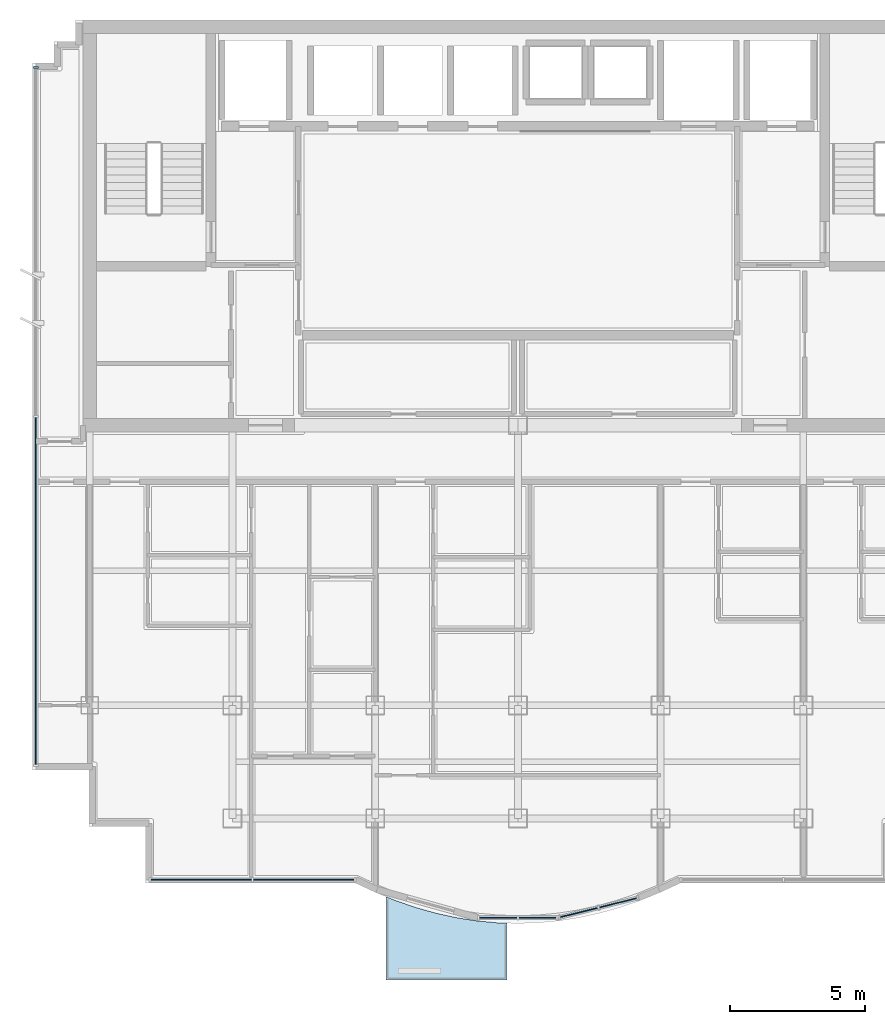
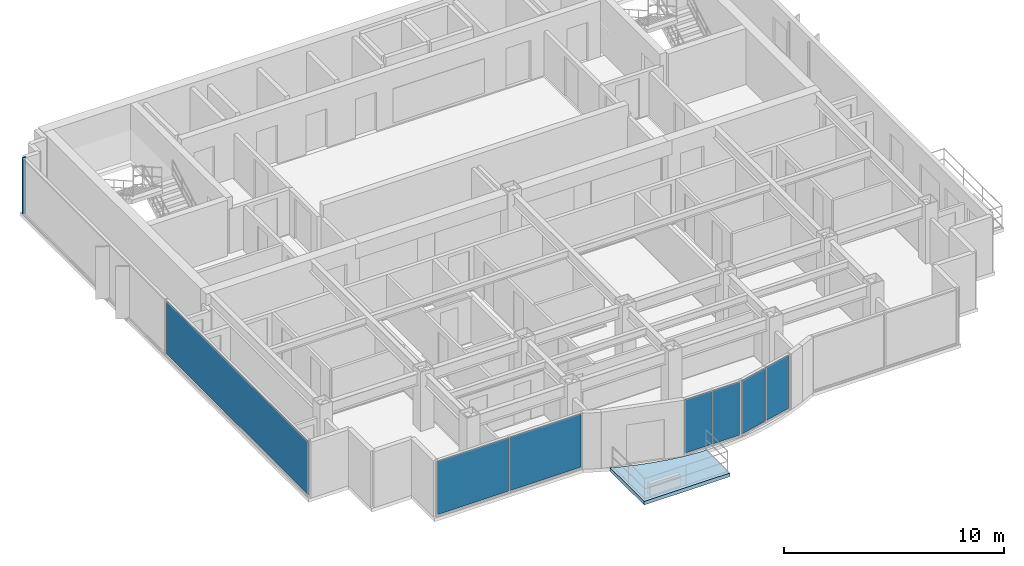
# One storey, part 3 of 9: 7 plates, 1 member, 1 slab, 4 elements without a shape of their own.
"""IFC4 building model written with IfcOpenShell, lengths in metres."""

import ifcopenshell
import ifcopenshell.guid

model = None  # the IFC model being written
_history = None  # IfcOwnerHistory: only IFC2X3 demands one
_inside = {}  # id of a spatial element -> (the spatial element, [elements in it])
_under = {}  # id of a project, library or spatial element -> (it, [spatial elements below it])
_declared = {}  # id of a project -> (the project, [libraries it declares])
_typed = {}  # id of a type object -> (the type object, [elements of that type])
_made_of = {}  # id of a material, layer set ... -> (it, [elements and type objects made of it])


def new_model(schema):
    """Start an empty IFC model of exactly this schema.

    Asked for "IFC4X3", IfcOpenShell would pick the latest addendum, in which some entities
    have other attributes; the version numbers below select the first issue.
    IFC2X3 requires an IfcOwnerHistory on every rooted entity: one is made here for all.
    """
    global model, _history
    if schema == "IFC4X3":
        model = ifcopenshell.file(schema_version=(4, 3, 0, 0))
    else:
        model = ifcopenshell.file(schema=schema)
    _inside.clear()
    _under.clear()
    _declared.clear()
    _typed.clear()
    _made_of.clear()
    _history = None
    if model.schema == "IFC2X3":
        org = make("IfcOrganization", Name="unknown")
        user = make(
            "IfcPersonAndOrganization",
            ThePerson=make("IfcPerson", FamilyName="unknown"),
            TheOrganization=org,
        )
        app = make(
            "IfcApplication",
            ApplicationDeveloper=org,
            Version="unknown",
            ApplicationFullName="unknown",
            ApplicationIdentifier="unknown",
        )
        _history = make(
            "IfcOwnerHistory",
            OwningUser=user,
            OwningApplication=app,
            ChangeAction="ADDED",
            CreationDate=0,
        )
    return model


def make(cls, **values):
    """One entity of the class cls with the attributes given. An attribute that is None is left unset."""
    return model.create_entity(
        cls, **{name: value for name, value in values.items() if value is not None}
    )


def rooted(cls, **values):
    """An entity with a GlobalId (a new one), such as an element, a storey or a relation."""
    return make(cls, GlobalId=ifcopenshell.guid.new(), OwnerHistory=_history, **values)


def si_unit(unit_type, name, prefix=None):
    """IfcSIUnit, for example si_unit("LENGTHUNIT", "METRE", prefix="MILLI")."""
    return make("IfcSIUnit", UnitType=unit_type, Prefix=prefix, Name=name)


def assignment(units):
    """IfcUnitAssignment: the units of a project."""
    return None if units is None else make("IfcUnitAssignment", Units=units)


def point(xyz):
    """IfcCartesianPoint."""
    return None if xyz is None else make("IfcCartesianPoint", Coordinates=xyz)


def direction(xyz):
    """IfcDirection."""
    return None if xyz is None else make("IfcDirection", DirectionRatios=xyz)


def frame(location, z_axis=None, x_axis=None):
    """IfcAxis2Placement3D, a coordinate frame: its origin and axes. An axis left out is left unset."""
    return make(
        "IfcAxis2Placement3D",
        Location=point(location),
        Axis=direction(z_axis),
        RefDirection=direction(x_axis),
    )


def frame_2d(location, x_axis=None):
    """IfcAxis2Placement2D, a coordinate frame in the plane: its origin and x axis."""
    return make(
        "IfcAxis2Placement2D", Location=point(location), RefDirection=direction(x_axis)
    )


def origin():
    """The frame at (0, 0, 0) with its axes left unset."""
    return frame((0.0, 0.0, 0.0))


def origin_2d():
    """The frame at (0, 0) in the plane with its x axis left unset."""
    return frame_2d((0.0, 0.0))


def place(relative_to, where):
    """IfcLocalPlacement: puts the frame where relative to a parent placement (None: the world)."""
    return make(
        "IfcLocalPlacement", PlacementRelTo=relative_to, RelativePlacement=where
    )


def context(
    kind, dimensions, precision=None, world=None, true_north=None, identifier=None
):
    """IfcGeometricRepresentationContext, for example the 3D "Model" context."""
    return make(
        "IfcGeometricRepresentationContext",
        ContextIdentifier=identifier,
        ContextType=kind,
        CoordinateSpaceDimension=dimensions,
        Precision=precision,
        WorldCoordinateSystem=world,
        TrueNorth=true_north,
    )


def subcontext(parent, identifier, kind, view, scale=None):
    """IfcGeometricRepresentationSubContext, for example "Body" below "Model"."""
    return make(
        "IfcGeometricRepresentationSubContext",
        ContextIdentifier=identifier,
        ContextType=kind,
        ParentContext=parent,
        TargetScale=scale,
        TargetView=view,
    )


def project(units=None, contexts=None):
    """IfcProject with its units and contexts."""
    return rooted(
        "IfcProject",
        Name="project",
        RepresentationContexts=contexts,
        UnitsInContext=assignment(units),
    )


def spatial(cls, under=None, at=None, **own):
    """A site, building, storey or space (cls), placed at a placement, below another one or the project."""
    s = rooted(cls, ObjectPlacement=at, **own)
    if under is not None:
        _under.setdefault(under.id(), (under, []))[1].append(s)
    return s


def polyline(points):
    """IfcPolyline through the points."""
    return make("IfcPolyline", Points=[point(p) for p in points])


def profile(cls, at=None, kind="AREA", **sizes):
    """A parametric profile (cls). Its sizes go by their IFC names, for example OverallWidth=200.0."""
    return make(cls, ProfileType=kind, Position=at, **sizes)


def rectangle(**sizes):
    """IfcRectangleProfileDef."""
    return profile("IfcRectangleProfileDef", **sizes)


def outline(outer, holes=None, kind="AREA"):
    """IfcArbitraryClosedProfileDef: a profile drawn as a closed curve; with holes, ...WithVoids."""
    if holes is None:
        return make("IfcArbitraryClosedProfileDef", ProfileType=kind, OuterCurve=outer)
    return make(
        "IfcArbitraryProfileDefWithVoids",
        ProfileType=kind,
        OuterCurve=outer,
        InnerCurves=holes,
    )


def extrude(swept, where, along, depth):
    """IfcExtrudedAreaSolid: the profile swept, set in the frame where, extruded along a direction by depth."""
    return make(
        "IfcExtrudedAreaSolid",
        SweptArea=swept,
        Position=where,
        ExtrudedDirection=direction(along),
        Depth=depth,
    )


def shape(context_of_items, identifier, shape_type, items):
    """IfcShapeRepresentation: the items that make up one representation, for example the "Body"."""
    return make(
        "IfcShapeRepresentation",
        ContextOfItems=context_of_items,
        RepresentationIdentifier=identifier,
        RepresentationType=shape_type,
        Items=items,
    )


def source(mapping_origin, context_of_items, identifier, shape_type, items):
    """IfcRepresentationMap: a shape defined once, which mapped items show again and again."""
    return make(
        "IfcRepresentationMap",
        MappingOrigin=mapping_origin,
        MappedRepresentation=shape(context_of_items, identifier, shape_type, items),
    )


def transform(
    local_origin,
    x_axis=None,
    y_axis=None,
    z_axis=None,
    scale=None,
    scale2=None,
    scale3=None,
    uniform=True,
):
    """IfcCartesianTransformationOperator3D, or its non-uniform kind. x_axis, y_axis, z_axis: its Axis1, 2, 3."""
    if uniform:
        return make(
            "IfcCartesianTransformationOperator3D",
            Axis1=direction(x_axis),
            Axis2=direction(y_axis),
            LocalOrigin=point(local_origin),
            Scale=scale,
            Axis3=direction(z_axis),
        )
    return make(
        "IfcCartesianTransformationOperator3DnonUniform",
        Axis1=direction(x_axis),
        Axis2=direction(y_axis),
        LocalOrigin=point(local_origin),
        Scale=scale,
        Axis3=direction(z_axis),
        Scale2=scale2,
        Scale3=scale3,
    )


def mapped(mapping_source, mapping_target):
    """IfcMappedItem: shows the shape of a source again, moved by a transform."""
    return make(
        "IfcMappedItem", MappingSource=mapping_source, MappingTarget=mapping_target
    )


def material(Name=None, Category=None):
    """IfcMaterial."""
    return make("IfcMaterial", Name=Name, Category=Category)


def layer(
    of_material, thickness, ventilated=None, Name=None, Category=None, Priority=None
):
    """IfcMaterialLayer: one layer of a wall or slab, of a material (None: an air gap)."""
    return make(
        "IfcMaterialLayer",
        Material=of_material,
        LayerThickness=thickness,
        IsVentilated=ventilated,
        Name=Name,
        Category=Category,
        Priority=Priority,
    )


def layer_set(layers, Name=None):
    """IfcMaterialLayerSet."""
    return make("IfcMaterialLayerSet", MaterialLayers=layers, LayerSetName=Name)


def material_profile(
    of_material, cross_section, Name=None, Category=None, Priority=None
):
    """IfcMaterialProfile: a cross section and its material."""
    return make(
        "IfcMaterialProfile",
        Name=Name,
        Material=of_material,
        Profile=cross_section,
        Priority=Priority,
        Category=Category,
    )


def profile_set(profiles, Name=None, composite=None):
    """IfcMaterialProfileSet."""
    return make(
        "IfcMaterialProfileSet",
        Name=Name,
        MaterialProfiles=profiles,
        CompositeProfile=composite,
    )


def made_of(thing, what):
    """Note that an element or type object is made of a material, layer set ...; save() writes the relation."""
    if what is not None:
        _made_of.setdefault(what.id(), (what, []))[1].append(thing)
    return thing


def type_object(cls, material=None, **own):
    """A type object (cls), such as IfcWallType, which elements share."""
    return made_of(rooted(cls, **own), material)


def element(
    cls,
    number,
    at=None,
    inside=None,
    cuts=None,
    type_object=None,
    material=None,
    context=None,
    identifier="Body",
    shape_type=None,
    held_by="IfcProductDefinitionShape",
    body=None,
    shapes=None,
    **own,
):
    """One element of the class cls, such as IfcWall. Its Tag is "e" and its number.

    at: its placement. inside: the storey or other place that contains it. cuts: it is an
    opening in that element (IfcRelVoidsElement). A single representation is given by context,
    identifier, shape_type and body (its items); several are given by shapes. held_by: the class
    of the entity that holds the representations. save() writes the other relations.
    """
    e = rooted(cls, Tag="e%d" % number, ObjectPlacement=at, **own)
    if body is not None:
        shapes = [shape(context, identifier, shape_type, body)]
    if shapes is not None:
        e.Representation = make(held_by, Representations=shapes)
    if inside is not None:
        _inside.setdefault(inside.id(), (inside, []))[1].append(e)
    if cuts is not None:
        rooted(
            "IfcRelVoidsElement", RelatingBuildingElement=cuts, RelatedOpeningElement=e
        )
    if type_object is not None:
        _typed.setdefault(type_object.id(), (type_object, []))[1].append(e)
    return made_of(e, material)


def aggregate(whole, parts):
    """IfcRelAggregates: a whole, such as a stair, and the parts it consists of."""
    return rooted("IfcRelAggregates", RelatingObject=whole, RelatedObjects=parts)


def save(model, path):
    """Write the relations noted so far, then the file.

    IfcRelAggregates (storeys below a building ...), IfcRelContainedInSpatialStructure (elements
    in a storey), IfcRelDefinesByType, IfcRelAssociatesMaterial and IfcRelDeclares: one each for
    every whole, place, type object, material and project.
    """
    for whole, parts in _under.values():
        aggregate(whole, parts)
    for where, things in _inside.values():
        rooted(
            "IfcRelContainedInSpatialStructure",
            RelatedElements=things,
            RelatingStructure=where,
        )
    for kind, things in _typed.values():
        rooted("IfcRelDefinesByType", RelatedObjects=things, RelatingType=kind)
    for what, things in _made_of.values():
        rooted("IfcRelAssociatesMaterial", RelatedObjects=things, RelatingMaterial=what)
    for by, libraries in _declared.values():
        rooted("IfcRelDeclares", RelatingContext=by, RelatedDefinitions=libraries)
    model.write(path)


model = new_model("IFC4")

# Units and contexts
model_context = context("Model", 3, precision=1e-05, world=origin(), true_north=direction((0.0, 1.0)))
body_context = subcontext(model_context, "Body", "Model", "MODEL_VIEW")
ifc_project = project(units=[si_unit("LENGTHUNIT", "METRE"), si_unit("AREAUNIT", "SQUARE_METRE"), si_unit("VOLUMEUNIT", "CUBIC_METRE"), si_unit("PLANEANGLEUNIT", "RADIAN"), si_unit("MASSUNIT", "GRAM", prefix="KILO")], contexts=[model_context])

# Site, building, storey
site_placement = place(None, origin())
site = spatial("IfcSite", under=ifc_project, at=site_placement, CompositionType="ELEMENT")
building_placement = place(site_placement, origin())
building = spatial("IfcBuilding", under=site, at=building_placement, Name="Qianlan Lanfeng Residences", CompositionType="ELEMENT")
storey_placement = place(building_placement, frame((0.0, 0.0, 246.199951171875)))
storey = spatial("IfcBuildingStorey", under=building, at=storey_placement, Name="L68", CompositionType="ELEMENT", Elevation=246.199951171875)

# Curtain wall, member
ifc_material_1 = material(Name="Anodised Bronze Aluminium 6063-T6", Category="aluminium")
ifc_layer_1 = layer(ifc_material_1, 0.219970703125)
ifc_layer_set_1 = layer_set([ifc_layer_1], Name="Anodised Bronze Aluminium 6063-T6")
curtain_wall_type = type_object("IfcCurtainWallType", Name="CW-06", PredefinedType="NOTDEFINED", material=ifc_layer_set_1)
curtain_wall_1_placement = place(storey_placement, origin())
curtain_wall_1 = element("IfcCurtainWall", 1, at=curtain_wall_1_placement, inside=storey, type_object=curtain_wall_type, Name="L68 Unitised Curtain Wall CWR-L68-05 (CW-06)", PredefinedType="NOTDEFINED")
ifc_material_profile = material_profile(ifc_material_1, rectangle(XDim=0.074951171875, YDim=0.179931640625, at=origin_2d()), Name="ALU MULLION 75x180")
ifc_profile_set = profile_set([ifc_material_profile], Name="Anodised Bronze Aluminium 6063-T6")
member_type = type_object("IfcMemberType", Name="CWM-180", PredefinedType="MULLION", material=ifc_profile_set)
shared_shape_1 = source(origin(), body_context, "Body", "SweptSolid", [
    extrude(rectangle(XDim=0.074951171875, YDim=0.179931640625, at=origin_2d()), origin(), (0.0, 0.0, 1.0), 3.110107421875),
])
member_placement = place(storey_placement, frame((8.60009765625, 38.492431640625, 0.0), z_axis=(0.0, 0.0, 1.0), x_axis=(0.0, -1.0, 0.0)))
member = element("IfcMember", 2, at=member_placement, type_object=member_type, Name="CWR-L68-05 Mullion 1", PredefinedType="MULLION", context=body_context, shape_type="MappedRepresentation", body=[
    mapped(shared_shape_1, transform((0.0, 0.0, 0.0), scale=1.0)),
])

# Slab
ifc_material_2 = material(Name="Concrete C42", Category="concrete")
ifc_layer_2 = layer(ifc_material_2, 0.199951171875)
ifc_layer_set_2 = layer_set([ifc_layer_2], Name="Concrete C42")
slab_type = type_object("IfcSlabType", Name="S-BAL-200", PredefinedType="FLOOR", material=ifc_layer_set_2)
slab_placement = place(storey_placement, frame((0.0, 0.0, -0.199951171875)))
element("IfcSlab", 3, at=slab_placement, inside=storey, type_object=slab_type, Name="L68 Planted Tree Balcony Slab SB-C", PredefinedType="FLOOR", context=body_context, shape_type="SweptSolid", body=[
    extrude(outline(polyline([(26.10009765625, 6.7119140625), (25.7451171875, 6.722900390625), (24.989990234375, 6.7939453125), (24.235107421875, 6.910888671875), (23.47998046875, 7.074951171875), (22.72509765625, 7.285888671875), (21.969970703125, 7.5439453125), (21.60009765625, 7.693115234375), (21.60009765625, 4.60009765625), (26.10009765625, 4.60009765625), (26.10009765625, 6.7119140625)])), origin(), (0.0, 0.0, 1.0), 0.199951171875),
])

# Curtain wall, plates
curtain_wall_2_placement = place(storey_placement, origin())
curtain_wall_2 = element("IfcCurtainWall", 4, at=curtain_wall_2_placement, inside=storey, type_object=curtain_wall_type, Name="L68 Unitised Curtain Wall CWR-L68-01 (CW-06)", PredefinedType="NOTDEFINED")
ifc_material_3 = material(Name="Dark Bronze Tinted Insulated Glass", Category="glass")
ifc_layer_3 = layer(ifc_material_3, 0.0380859375)
ifc_layer_set_3 = layer_set([ifc_layer_3], Name="Dark Bronze Tinted Insulated Glass")
plate_type_1 = type_object("IfcPlateType", Name="PNL-GLZ-BRZ", PredefinedType="CURTAIN_PANEL", material=ifc_layer_set_3)
shared_shape_2 = source(origin(), body_context, "Body", "SweptSolid", [
    extrude(rectangle(XDim=3.73291015625, YDim=0.0380859375, at=origin_2d()), origin(), (0.0, 0.0, 1.0), 2.9619140625),
])
plate_1_placement = place(storey_placement, frame((14.740478515625, 8.320068359375, 0.073974609375), z_axis=(0.0, 0.0, 1.0), x_axis=(1.0, 0.0, 0.0)))
plate_1 = element("IfcPlate", 5, at=plate_1_placement, type_object=plate_type_1, Name="CWR-L68-01 Curtain Panel 1", PredefinedType="CURTAIN_PANEL", context=body_context, shape_type="MappedRepresentation", body=[
    mapped(shared_shape_2, transform((0.0, 0.0, 0.0), scale=1.0)),
])
plate_2_placement = place(storey_placement, frame((18.54638671875, 8.320068359375, 0.073974609375), z_axis=(0.0, 0.0, 1.0), x_axis=(1.0, 0.0, 0.0)))
plate_2 = element("IfcPlate", 6, at=plate_2_placement, type_object=plate_type_1, Name="CWR-L68-01 Curtain Panel 2", PredefinedType="CURTAIN_PANEL", context=body_context, shape_type="MappedRepresentation", body=[
    mapped(shared_shape_2, transform((0.0, 0.0, 0.0), scale=1.0)),
])
aggregate(curtain_wall_2, [plate_1, plate_2])

# Plate
shared_shape_3 = source(origin(), body_context, "Body", "SweptSolid", [
    extrude(rectangle(XDim=12.89453125, YDim=0.0380859375, at=origin_2d()), origin(), (0.0, 0.0, 1.0), 2.9619140625),
])
plate_3_placement = place(storey_placement, frame((8.60009765625, 19.041259765625, 0.073974609375), z_axis=(0.0, 0.0, 1.0), x_axis=(0.0, -1.0, 0.0)))
plate_3 = element("IfcPlate", 7, at=plate_3_placement, type_object=plate_type_1, Name="CWR-L68-05 Curtain Panel 2", PredefinedType="CURTAIN_PANEL", context=body_context, shape_type="MappedRepresentation", body=[
    mapped(shared_shape_3, transform((0.0, 0.0, 0.0), scale=1.0)),
])

aggregate(curtain_wall_1, [member, plate_3])

# Curtain wall, plate
curtain_wall_3_placement = place(storey_placement, origin())
curtain_wall_3 = element("IfcCurtainWall", 8, at=curtain_wall_3_placement, inside=storey, type_object=curtain_wall_type, Name="L68 Unitised Curtain Wall CWR-L68-02 (CW-06)", PredefinedType="NOTDEFINED")
shared_shape_4 = source(origin(), body_context, "Body", "SweptSolid", [
    extrude(rectangle(XDim=1.384521484375, YDim=0.0380859375, at=origin_2d()), origin(), (0.0, 0.0, 1.0), 2.9619140625),
])
plate_4_placement = place(storey_placement, frame((25.771240234375, 6.9130859375, 0.073974609375), z_axis=(0.0, 0.0, 1.0), x_axis=(1.0, 0.0, 0.0)))
plate_4 = element("IfcPlate", 9, at=plate_4_placement, type_object=plate_type_1, Name="CWR-L68-02 Curtain Panel 1", PredefinedType="CURTAIN_PANEL", context=body_context, shape_type="MappedRepresentation", body=[
    mapped(shared_shape_4, transform((0.0, 0.0, 0.0), scale=1.0)),
])

# Curtain wall, plates
curtain_wall_4_placement = place(storey_placement, origin())
curtain_wall_4 = element("IfcCurtainWall", 10, at=curtain_wall_4_placement, inside=storey, type_object=curtain_wall_type, Name="L68 Unitised Curtain Wall CWR-L68-03 (CW-06)", PredefinedType="NOTDEFINED")
shared_shape_5 = source(origin(), body_context, "Body", "SweptSolid", [
    extrude(rectangle(XDim=1.431396484375, YDim=0.0380859375, at=origin_2d()), origin(), (0.0, 0.0, 1.0), 2.9619140625),
])
plate_5_placement = place(storey_placement, frame((28.761474609375, 7.103515625, 0.073974609375), z_axis=(0.0, 0.0, 1.0), x_axis=(0.970466067332, 0.241237667369, 0.0)))
plate_5 = element("IfcPlate", 11, at=plate_5_placement, type_object=plate_type_1, Name="CWR-L68-03 Curtain Panel 1", PredefinedType="CURTAIN_PANEL", context=body_context, shape_type="MappedRepresentation", body=[
    mapped(shared_shape_5, transform((0.0, 0.0, 0.0), scale=1.0)),
])
shared_shape_6 = source(origin(), body_context, "Body", "SweptSolid", [
    extrude(rectangle(XDim=1.431640625, YDim=0.0380859375, at=origin_2d()), origin(), (0.0, 0.0, 1.0), 2.9619140625),
])
plate_6_placement = place(storey_placement, frame((30.221435546875, 7.466552734375, 0.073974609375), z_axis=(0.0, 0.0, 1.0), x_axis=(0.970466067332, 0.241237667369, 0.0)))
plate_6 = element("IfcPlate", 12, at=plate_6_placement, type_object=plate_type_1, Name="CWR-L68-03 Curtain Panel 2", PredefinedType="CURTAIN_PANEL", context=body_context, shape_type="MappedRepresentation", body=[
    mapped(shared_shape_6, transform((0.0, 0.0, 0.0), scale=1.0)),
])
aggregate(curtain_wall_4, [plate_5, plate_6])

# Plate
ifc_material_4 = material(Name="Perforated Champagne Gold Aluminium Panel", Category="aluminium")
ifc_layer_4 = layer(ifc_material_4, 0.0400390625)
ifc_layer_set_4 = layer_set([ifc_layer_4], Name="Perforated Champagne Gold Aluminium Panel")
plate_type_2 = type_object("IfcPlateType", Name="PNL-PRF-GLD", PredefinedType="CURTAIN_PANEL", material=ifc_layer_set_4)
shared_shape_7 = source(origin(), body_context, "Body", "SweptSolid", [
    extrude(rectangle(XDim=1.384521484375, YDim=0.0400390625, at=origin_2d()), origin(), (0.0, 0.0, 1.0), 2.9619140625),
])
plate_7_placement = place(storey_placement, frame((27.228759765625, 6.9130859375, 0.073974609375), z_axis=(0.0, 0.0, 1.0), x_axis=(1.0, 0.0, 0.0)))
plate_7 = element("IfcPlate", 13, at=plate_7_placement, type_object=plate_type_2, Name="CWR-L68-02 Curtain Panel 2", PredefinedType="CURTAIN_PANEL", context=body_context, shape_type="MappedRepresentation", body=[
    mapped(shared_shape_7, transform((0.0, 0.0, 0.0), scale=1.0)),
])

aggregate(curtain_wall_3, [plate_4, plate_7])

save(model, "model.ifc")
